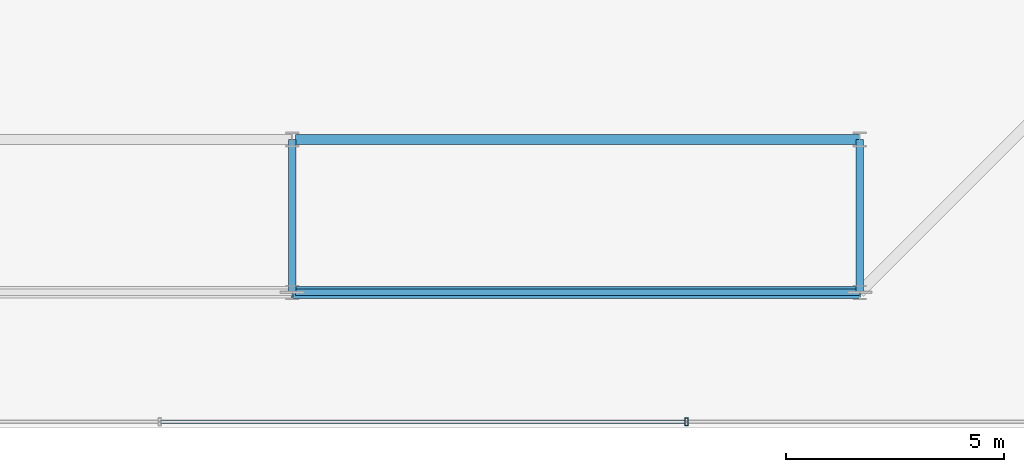
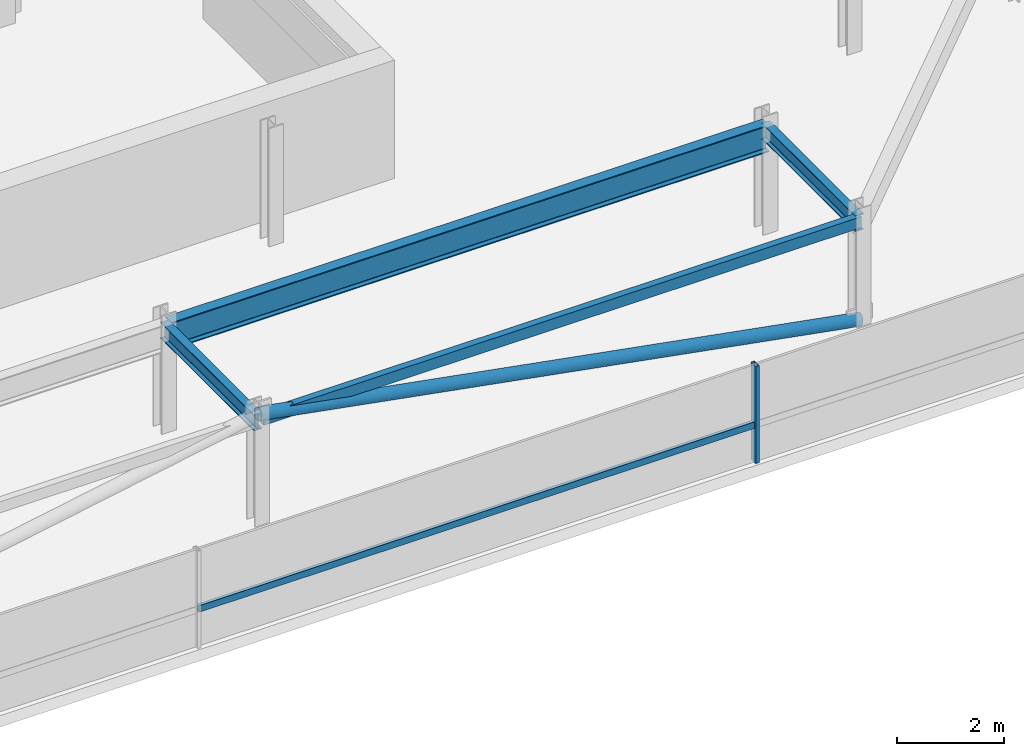
# One storey, part 10 of 42: 4 beams, 3 members, 1 element without a shape of its own.
"""IFC4 building model written with IfcOpenShell, lengths in metres."""

from ifc_helpers import new_model, si_unit, direction, frame, origin, origin_2d, place, context, subcontext, project, spatial, hollow_rectangle, hollow_circle, i_section, extrude, material, material_profile, profile_set, type_object, element, aggregate, save


model = new_model("IFC4")

# Units and contexts
model_context = context("Model", 3, precision=1e-05, world=origin(), true_north=direction((0.0, 1.0)))
body_context = subcontext(model_context, "Body", "Model", "MODEL_VIEW")
ifc_project = project(units=[si_unit("LENGTHUNIT", "METRE"), si_unit("AREAUNIT", "SQUARE_METRE"), si_unit("VOLUMEUNIT", "CUBIC_METRE"), si_unit("PLANEANGLEUNIT", "RADIAN"), si_unit("MASSUNIT", "GRAM", prefix="KILO")], contexts=[model_context])

# Site, building, storey
site_placement = place(None, origin())
site = spatial("IfcSite", under=ifc_project, at=site_placement, CompositionType="ELEMENT")
building_placement = place(site_placement, origin())
building = spatial("IfcBuilding", under=site, at=building_placement, Name="Thornwick Lancets Civic Towers", CompositionType="ELEMENT")
storey_placement = place(building_placement, frame((0.0, 0.0, 286.800048828125)))
storey = spatial("IfcBuildingStorey", under=building, at=storey_placement, Name="C03", CompositionType="ELEMENT", Elevation=286.800048828125)

# Beams
ifc_material_1 = material(Name="Steel S355JR", Category="steel")
ifc_material_profile_1 = material_profile(ifc_material_1, hollow_rectangle(XDim=0.14990234375, YDim=0.25, WallThickness=0.012451171875, at=origin_2d()), Name="RHS 250x150x12.5")
ifc_profile_set_1 = profile_set([ifc_material_profile_1], Name="Steel S355JR")
beam_type_1 = type_object("IfcBeamType", Name="BM_CROWN_RHS250", PredefinedType="BEAM", material=ifc_profile_set_1)
beam_1_placement = place(storey_placement, frame((25.580078125, 6.199951171875, 2.31494140625), z_axis=(1.0, 0.0, 0.0), x_axis=(0.0, 1.0, 0.0)))
element("IfcBeam", 1, at=beam_1_placement, inside=storey, type_object=beam_type_1, Name="BM-EDGE-C03-A-S0-2", PredefinedType="BEAM", context=body_context, shape_type="SweptSolid", body=[
    extrude(hollow_rectangle(XDim=0.14990234375, YDim=0.25, WallThickness=0.012451171875, at=origin_2d()), origin(), (0.0, 0.0, 1.0), 12.919921875),
])
ifc_material_profile_2 = material_profile(ifc_material_1, i_section(OverallWidth=0.230224609375, OverallDepth=0.6171875, WebThickness=0.01318359375, FlangeThickness=0.022216796875, FilletRadius=0.0126953125, at=origin_2d()), Name="UKB 610x229x140")
ifc_profile_set_2 = profile_set([ifc_material_profile_2], Name="Steel S355JR")
beam_type_2 = type_object("IfcBeamType", Name="BM_GIRD_610_140", PredefinedType="BEAM", material=ifc_profile_set_2)
beam_2_placement = place(storey_placement, frame((25.580078125, 9.699951171875, 2.13134765625), z_axis=(1.0, 0.0, 0.0), x_axis=(0.0, 1.0, 0.0)))
element("IfcBeam", 2, at=beam_2_placement, inside=storey, type_object=beam_type_2, Name="BM-SPINE-C03-A-1-2", PredefinedType="BEAM", context=body_context, shape_type="SweptSolid", body=[
    extrude(i_section(OverallWidth=0.230224609375, OverallDepth=0.6171875, WebThickness=0.01318359375, FlangeThickness=0.022216796875, FilletRadius=0.0126953125, at=origin_2d()), origin(), (0.0, 0.0, 1.0), 12.919921875),
])
ifc_material_profile_3 = material_profile(ifc_material_1, i_section(OverallWidth=0.173095703125, OverallDepth=0.36328125, WebThickness=0.009033203125, FlangeThickness=0.015625, FilletRadius=0.01025390625, at=origin_2d()), Name="UKB 356x171x67")
ifc_profile_set_3 = profile_set([ifc_material_profile_3], Name="Steel S355JR")
beam_type_3 = type_object("IfcBeamType", Name="BM_JOIST_356_67", PredefinedType="JOIST", material=ifc_profile_set_3)
for number, where, z_axis, x_axis, name in (
    (3, (25.5, 9.699951171875, 2.25830078125), (0.0, -1.0, 0.0), (1.0, 0.0, 0.0), "BM-RAD-C03-A02"),
    (4, (38.5, 9.699951171875, 2.25830078125), (0.0, -1.0, 0.0), (1.0, 0.0, 0.0), "BM-RAD-C03-A03"),
):
    element("IfcBeam", number, at=place(storey_placement, frame(where, z_axis=z_axis, x_axis=x_axis)), inside=storey, type_object=beam_type_3, Name=name, PredefinedType="JOIST", context=body_context, shape_type="SweptSolid", body=[
        extrude(i_section(OverallWidth=0.173095703125, OverallDepth=0.36328125, WebThickness=0.009033203125, FlangeThickness=0.015625, FilletRadius=0.01025390625, at=origin_2d()), origin(), (0.0, 0.0, 1.0), 3.5),
    ])

# Curtain wall, members
ifc_material_2 = material(Name="Crown ring acoustic-louvre and glazing screen wall", Category="glass")
curtain_wall_type = type_object("IfcCurtainWallType", Name="CW_SYS_07", PredefinedType="NOTDEFINED", material=ifc_material_2)
curtain_wall_placement = place(storey_placement, origin())
curtain_wall = element("IfcCurtainWall", 5, at=curtain_wall_placement, inside=storey, type_object=curtain_wall_type, Name="C03 Curtain Wall CW-C03-A-E0", PredefinedType="NOTDEFINED")
ifc_material_3 = material(Name="Thermally broken bronze aluminium S355", Category="steel")
ifc_material_profile_4 = material_profile(ifc_material_3, hollow_rectangle(XDim=0.074951171875, YDim=0.179931640625, WallThickness=0.006103515625, at=origin_2d()), Name="RHS 180x75x6")
ifc_profile_set_4 = profile_set([ifc_material_profile_4], Name="Thermally broken bronze aluminium S355")
member_type_1 = type_object("IfcMemberType", Name="CW_MUL_180", PredefinedType="MULLION", material=ifc_profile_set_4)
member_1_placement = place(storey_placement, frame((34.53369140625, 3.2353515625, 0.0), z_axis=(0.0, 0.0, 1.0), x_axis=(1.0, 0.0, 0.0)))
member_1 = element("IfcMember", 6, at=member_1_placement, type_object=member_type_1, Name="CW-C03-A-E0 Mullion 2", PredefinedType="MULLION", context=body_context, shape_type="SweptSolid", body=[
    extrude(hollow_rectangle(XDim=0.074951171875, YDim=0.179931640625, WallThickness=0.006103515625, at=origin_2d()), origin(), (0.0, 0.0, 1.0), 2.219970703125),
])
ifc_material_profile_5 = material_profile(ifc_material_3, hollow_rectangle(XDim=0.074951171875, YDim=0.14990234375, WallThickness=0.0048828125, at=origin_2d()), Name="RHS 150x75x5")
ifc_profile_set_5 = profile_set([ifc_material_profile_5], Name="Thermally broken bronze aluminium S355")
member_type_2 = type_object("IfcMemberType", Name="CW_TRN_150", PredefinedType="USERDEFINED", material=ifc_profile_set_5)
member_2_placement = place(storey_placement, frame((22.486083984375, 3.2353515625, 0.849853515625), z_axis=(1.0, 0.0, 0.0), x_axis=(0.0, 1.0, 0.0)))
member_2 = element("IfcMember", 7, at=member_2_placement, type_object=member_type_2, Name="CW-C03-A-E0 Transom 1", ObjectType="TRANSOM", PredefinedType="USERDEFINED", context=body_context, shape_type="SweptSolid", body=[
    extrude(hollow_rectangle(XDim=0.074951171875, YDim=0.14990234375, WallThickness=0.0048828125, at=origin_2d()), origin(), (0.0, 0.0, 1.0), 12.02783203125),
])
aggregate(curtain_wall, [member_1, member_2])

# Member
ifc_material_profile_6 = material_profile(ifc_material_1, hollow_circle(Radius=0.136474609375, WallThickness=0.012451171875, at=origin_2d()), Name="CHS 273x12.5")
ifc_profile_set_6 = profile_set([ifc_material_profile_6], Name="Steel S355JR")
member_type_3 = type_object("IfcMemberType", Name="MEM_CROWN_CHS273", PredefinedType="BRACE", material=ifc_profile_set_6)
member_3_placement = place(storey_placement, frame((38.5, 6.199951171875, 0.050048828125), z_axis=(-0.98351842104, 0.0, 0.180807951915), x_axis=(0.0, -1.0, 0.0)))
element("IfcMember", 8, at=member_3_placement, inside=storey, type_object=member_type_3, Name="C03 Crown Ring Lancet Rib A-S0-R", PredefinedType="BRACE", context=body_context, shape_type="SweptSolid", body=[
    extrude(hollow_circle(Radius=0.136474609375, WallThickness=0.012451171875, at=origin_2d()), origin(), (0.0, 0.0, 1.0), 13.2177734375),
])

save(model, "model.ifc")
